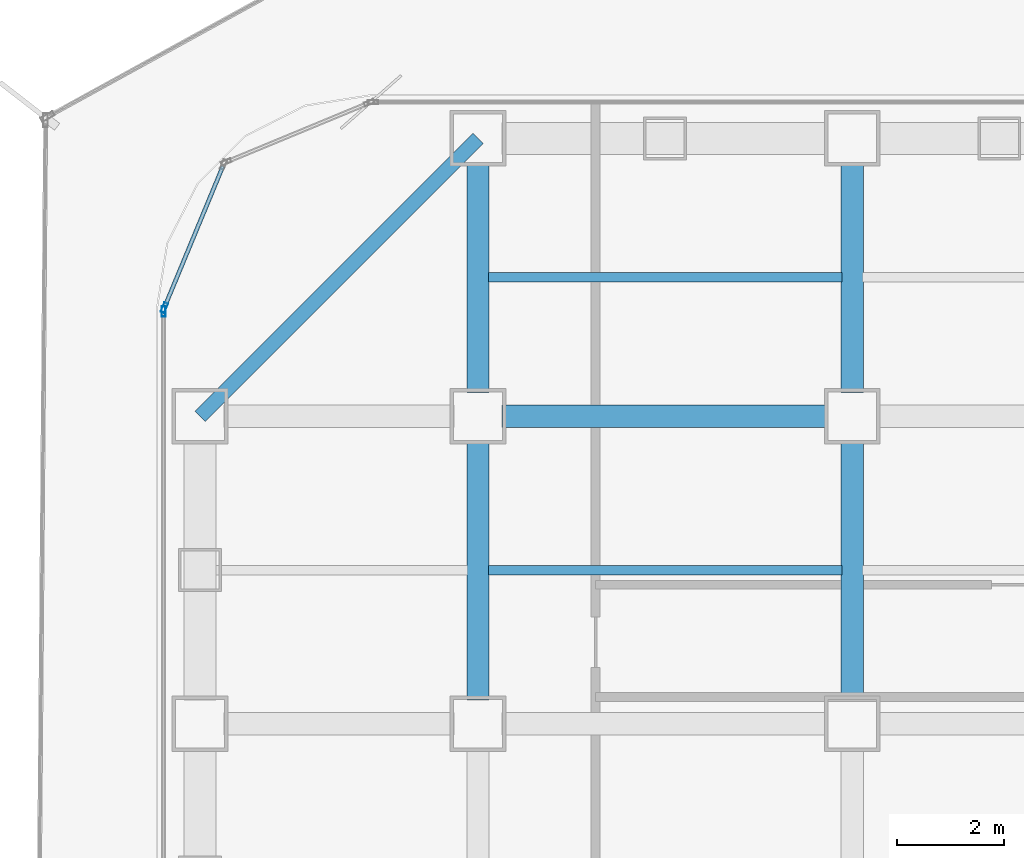
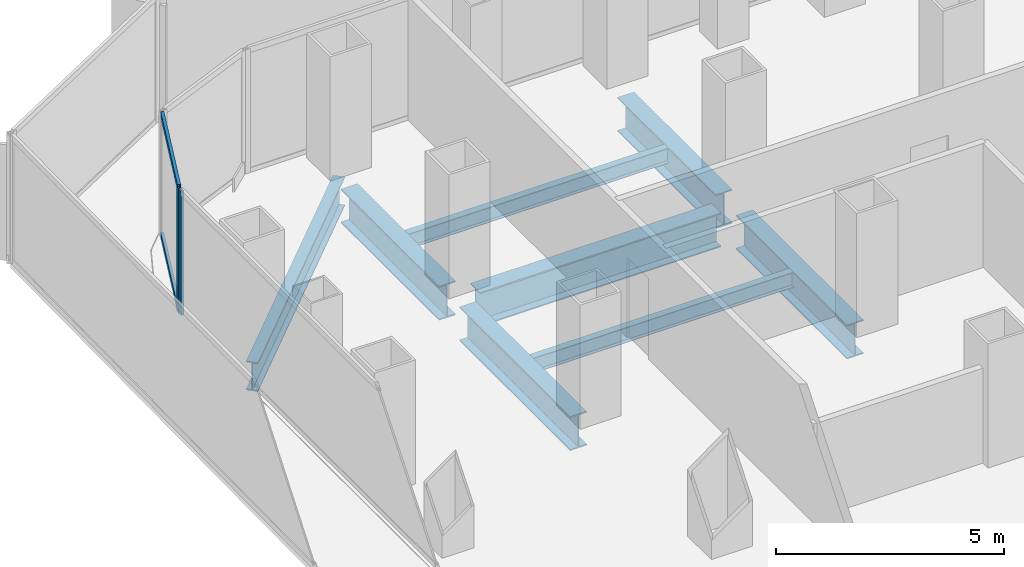
# One storey, part 12 of 27: 8 beams, 4 members, 2 elements without a shape of their own.
"""IFC4 building model written with IfcOpenShell, lengths in metres."""

from ifc_helpers import new_model, si_unit, direction, frame, origin, origin_2d, place, context, subcontext, project, spatial, hollow_rectangle, i_section, extrude, source, transform, mapped, material, layer, layer_set, material_profile, profile_set, type_object, element, aggregate, save


model = new_model("IFC4")

# Units and contexts
model_context = context("Model", 3, precision=1e-05, world=origin(), true_north=direction((0.0, 1.0)))
body_context = subcontext(model_context, "Body", "Model", "MODEL_VIEW")
ifc_project = project(units=[si_unit("LENGTHUNIT", "METRE"), si_unit("AREAUNIT", "SQUARE_METRE"), si_unit("VOLUMEUNIT", "CUBIC_METRE"), si_unit("PLANEANGLEUNIT", "RADIAN"), si_unit("MASSUNIT", "GRAM", prefix="KILO")], contexts=[model_context])

# Site, building, storey
site_placement = place(None, origin())
site = spatial("IfcSite", under=ifc_project, at=site_placement, CompositionType="ELEMENT")
building_placement = place(site_placement, origin())
building = spatial("IfcBuilding", under=site, at=building_placement, Name="Kolveth Station Tower", CompositionType="ELEMENT")
storey_placement = place(building_placement, frame((0.0, 0.0, 22.5)))
storey = spatial("IfcBuildingStorey", under=building, at=storey_placement, Name="L05", CompositionType="ELEMENT", Elevation=22.5)

# Beams
ifc_material_1 = material(Name="Steel S355", Category="steel")
ifc_material_profile_1 = material_profile(ifc_material_1, i_section(OverallWidth=0.26904296875, OverallDepth=0.77490234375, WebThickness=0.01708984375, FlangeThickness=0.0283203125, at=origin_2d()), Name="W760x220")
ifc_profile_set_1 = profile_set([ifc_material_profile_1], Name="Steel S355")
beam_type_1 = type_object("IfcBeamType", Name="Beam_SP1", PredefinedType="SPANDREL", material=ifc_profile_set_1)
shared_shape_1 = source(origin(), body_context, "Body", "SweptSolid", [
    extrude(i_section(OverallWidth=0.26904296875, OverallDepth=0.77490234375, WebThickness=0.01708984375, FlangeThickness=0.0283203125, at=origin_2d()), origin(), (0.0, 0.0, 1.0), 7.353759765625),
])
beam_1_placement = place(storey_placement, frame((6.0, 39.699951171875, -0.74755859375), z_axis=(-0.707106781187, -0.707106781187, 0.0), x_axis=(0.707106781187, -0.707106781187, 0.0)))
element("IfcBeam", 1, at=beam_1_placement, inside=storey, type_object=beam_type_1, Name="L05 Corner Edge Girder BM-L05-CNR-NW", PredefinedType="SPANDREL", context=body_context, shape_type="MappedRepresentation", body=[
    mapped(shared_shape_1, transform((0.0, 0.0, 0.0), x_axis=(1.0, 0.0, 0.0), y_axis=(0.0, 1.0, 0.0), z_axis=(0.0, 0.0, 1.0), scale=1.0)),
])
ifc_material_profile_2 = material_profile(ifc_material_1, i_section(OverallWidth=0.41796875, OverallDepth=0.912109375, WebThickness=0.019287109375, FlangeThickness=0.031982421875, at=origin_2d()), Name="W920x342")
ifc_profile_set_2 = profile_set([ifc_material_profile_2], Name="Steel S355")
beam_type_2 = type_object("IfcBeamType", Name="Beam_B1", PredefinedType="BEAM", material=ifc_profile_set_2)
shared_shape_2 = source(origin(), body_context, "Body", "SweptSolid", [
    extrude(i_section(OverallWidth=0.41796875, OverallDepth=0.912109375, WebThickness=0.019287109375, FlangeThickness=0.031982421875, at=origin_2d()), origin(), (0.0, 0.0, 1.0), 4.300048828125),
])
for number, where, z_axis, x_axis, name in (
    (2, (6.0, 34.949951171875, -0.81591796875), (0.0, 1.0, 0.0), (-1.0, 0.0, 0.0), "L05 Primary Girder BM-L05-GX60-7"),
    (3, (13.0, 34.949951171875, -0.81591796875), (0.0, 1.0, 0.0), (-1.0, 0.0, 0.0), "L05 Primary Girder BM-L05-GX130-7"),
):
    element("IfcBeam", number, at=place(storey_placement, frame(where, z_axis=z_axis, x_axis=x_axis)), inside=storey, type_object=beam_type_2, Name=name, PredefinedType="BEAM", context=body_context, shape_type="MappedRepresentation", body=[
        mapped(shared_shape_2, transform((0.0, 0.0, 0.0), x_axis=(1.0, 0.0, 0.0), y_axis=(0.0, 1.0, 0.0), z_axis=(0.0, 0.0, 1.0), scale=1.0)),
    ])
shared_shape_3 = source(origin(), body_context, "Body", "SweptSolid", [
    extrude(i_section(OverallWidth=0.41796875, OverallDepth=0.912109375, WebThickness=0.019287109375, FlangeThickness=0.031982421875, at=origin_2d()), origin(), (0.0, 0.0, 1.0), 6.10009765625),
])
beam_2_placement = place(storey_placement, frame((6.449951171875, 34.5, -0.81591796875), z_axis=(1.0, 0.0, 0.0), x_axis=(0.0, 1.0, 0.0)))
element("IfcBeam", 4, at=beam_2_placement, inside=storey, type_object=beam_type_2, Name="L05 Primary Girder BM-L05-GY345-2", PredefinedType="BEAM", context=body_context, shape_type="MappedRepresentation", body=[
    mapped(shared_shape_3, transform((0.0, 0.0, 0.0), x_axis=(1.0, 0.0, 0.0), y_axis=(0.0, 1.0, 0.0), z_axis=(0.0, 0.0, 1.0), scale=1.0)),
])
shared_shape_4 = source(origin(), body_context, "Body", "SweptSolid", [
    extrude(i_section(OverallWidth=0.41796875, OverallDepth=0.912109375, WebThickness=0.019287109375, FlangeThickness=0.031982421875, at=origin_2d()), origin(), (0.0, 0.0, 1.0), 4.85009765625),
])
for number, where, z_axis, x_axis, name in (
    (5, (6.0, 29.199951171875, -0.81591796875), (0.0, 1.0, 0.0), (-1.0, 0.0, 0.0), "L05 Primary Girder BM-L05-GX60-6"),
    (6, (13.0, 29.199951171875, -0.81591796875), (0.0, 1.0, 0.0), (-1.0, 0.0, 0.0), "L05 Primary Girder BM-L05-GX130-6"),
):
    element("IfcBeam", number, at=place(storey_placement, frame(where, z_axis=z_axis, x_axis=x_axis)), inside=storey, type_object=beam_type_2, Name=name, PredefinedType="BEAM", context=body_context, shape_type="MappedRepresentation", body=[
        mapped(shared_shape_4, transform((0.0, 0.0, 0.0), x_axis=(1.0, 0.0, 0.0), y_axis=(0.0, 1.0, 0.0), z_axis=(0.0, 0.0, 1.0), scale=1.0)),
    ])
ifc_material_profile_3 = material_profile(ifc_material_1, i_section(OverallWidth=0.177978515625, OverallDepth=0.406982421875, WebThickness=0.0078125, FlangeThickness=0.0126953125, at=origin_2d()), Name="W410x60")
ifc_profile_set_3 = profile_set([ifc_material_profile_3], Name="Steel S355")
beam_type_3 = type_object("IfcBeamType", Name="Beam_J1", PredefinedType="JOIST", material=ifc_profile_set_3)
shared_shape_5 = source(origin(), body_context, "Body", "SweptSolid", [
    extrude(i_section(OverallWidth=0.177978515625, OverallDepth=0.406982421875, WebThickness=0.0078125, FlangeThickness=0.0126953125, at=origin_2d()), origin(), (0.0, 0.0, 1.0), 6.60986328125),
])
for number, where, z_axis, x_axis, name in (
    (7, (6.195068359375, 31.625, -0.5634765625), (1.0, 0.0, 0.0), (0.0, 1.0, 0.0), "L05 Secondary Joist JST-L05-2-6"),
    (8, (6.195068359375, 37.10009765625, -0.5634765625), (1.0, 0.0, 0.0), (0.0, 1.0, 0.0), "L05 Secondary Joist JST-L05-2-7"),
):
    element("IfcBeam", number, at=place(storey_placement, frame(where, z_axis=z_axis, x_axis=x_axis)), inside=storey, type_object=beam_type_3, Name=name, PredefinedType="JOIST", context=body_context, shape_type="MappedRepresentation", body=[
        mapped(shared_shape_5, transform((0.0, 0.0, 0.0), x_axis=(1.0, 0.0, 0.0), y_axis=(0.0, 1.0, 0.0), z_axis=(0.0, 0.0, 1.0), scale=1.0)),
    ])

# Curtain wall, member
ifc_material_2 = material(Name="Aluminium 6063-T6 and low-E dark glass", Category="aluminium")
ifc_layer = layer(ifc_material_2, 0.179931640625)
ifc_layer_set = layer_set([ifc_layer], Name="Aluminium 6063-T6 and low-E dark glass")
curtain_wall_type = type_object("IfcCurtainWallType", Name="CurtainWall_CW-Z1", PredefinedType="NOTDEFINED", material=ifc_layer_set)
curtain_wall_1_placement = place(storey_placement, origin())
curtain_wall_1 = element("IfcCurtainWall", 9, at=curtain_wall_1_placement, inside=storey, type_object=curtain_wall_type, Name="L05 Inner Thermal Curtain Wall 8", PredefinedType="NOTDEFINED")
ifc_material_3 = material(Name="Black anodized aluminium 6063-T6", Category="aluminium")
ifc_material_profile_4 = material_profile(ifc_material_3, hollow_rectangle(XDim=0.074951171875, YDim=0.18994140625, WallThickness=0.0048828125, at=origin_2d()), Name="ALU-75x190x5")
ifc_profile_set_4 = profile_set([ifc_material_profile_4], Name="Black anodized aluminium 6063-T6")
member_type_1 = type_object("IfcMemberType", Name="Mullion_ML1", PredefinedType="MULLION", material=ifc_profile_set_4)
shared_shape_6 = source(origin(), body_context, "Body", "SweptSolid", [
    extrude(hollow_rectangle(XDim=0.074951171875, YDim=0.18994140625, WallThickness=0.0048828125, at=origin_2d()), origin(), (0.0, 0.0, 1.0), 3.320068359375),
])
member_1_placement = place(storey_placement, frame((0.13427734375, 36.53466796875, 0.0), z_axis=(0.0, 0.0, 1.0), x_axis=(0.923883857728, -0.382672990201, 0.0)))
member_1 = element("IfcMember", 10, at=member_1_placement, type_object=member_type_1, Name="CW-Z1 mullion 2", PredefinedType="MULLION", context=body_context, shape_type="MappedRepresentation", body=[
    mapped(shared_shape_6, transform((0.0, 0.0, 0.0), x_axis=(1.0, 0.0, 0.0), y_axis=(0.0, 1.0, 0.0), z_axis=(0.0, 0.0, 1.0), scale=1.0)),
])

curtain_wall_2_placement = place(storey_placement, origin())
curtain_wall_2 = element("IfcCurtainWall", 11, at=curtain_wall_2_placement, inside=storey, type_object=curtain_wall_type, Name="L05 Inner Thermal Curtain Wall 9", PredefinedType="NOTDEFINED")
member_2_placement = place(storey_placement, frame((0.1201171875, 36.46240234375, 0.0), z_axis=(0.0, 0.0, 1.0), x_axis=(1.0, 0.0, 0.0)))
member_2 = element("IfcMember", 12, at=member_2_placement, type_object=member_type_1, Name="CW-Z1 mullion 1", PredefinedType="MULLION", context=body_context, shape_type="MappedRepresentation", body=[
    mapped(shared_shape_6, transform((0.0, 0.0, 0.0), x_axis=(1.0, 0.0, 0.0), y_axis=(0.0, 1.0, 0.0), z_axis=(0.0, 0.0, 1.0), scale=1.0)),
])
aggregate(curtain_wall_2, [member_2])

# Member
ifc_material_profile_5 = material_profile(ifc_material_3, hollow_rectangle(XDim=0.074951171875, YDim=0.159912109375, WallThickness=0.0048828125, at=origin_2d()), Name="ALU-75x160x5")
ifc_profile_set_5 = profile_set([ifc_material_profile_5], Name="Black anodized aluminium 6063-T6")
member_type_2 = type_object("IfcMemberType", Name="Transom_TR1", PredefinedType="USERDEFINED", material=ifc_profile_set_5)
shared_shape_7 = source(origin(), body_context, "Body", "SweptSolid", [
    extrude(hollow_rectangle(XDim=0.074951171875, YDim=0.159912109375, WallThickness=0.0048828125, at=origin_2d()), origin(), (0.0, 0.0, 1.0), 2.819580078125),
])
member_3_placement = place(storey_placement, frame((1.227783203125, 39.17431640625, 0.03759765625), z_axis=(-0.382708655389, -0.923869084389, 0.0), x_axis=(0.923869084389, -0.382708655389, 0.0)))
member_3 = element("IfcMember", 13, at=member_3_placement, type_object=member_type_2, Name="CW-Z1 transom 1.1", ObjectType="TRANSOM", PredefinedType="USERDEFINED", context=body_context, shape_type="MappedRepresentation", body=[
    mapped(shared_shape_7, transform((0.0, 0.0, 0.0), x_axis=(1.0, 0.0, 0.0), y_axis=(0.0, 1.0, 0.0), z_axis=(0.0, 0.0, 1.0), scale=1.0)),
])

member_4_placement = place(storey_placement, frame((1.227783203125, 39.17431640625, 3.282470703125), z_axis=(-0.382708655389, -0.923869084389, 0.0), x_axis=(0.923869084389, -0.382708655389, 0.0)))
member_4 = element("IfcMember", 14, at=member_4_placement, type_object=member_type_2, Name="CW-Z1 transom 1.2", ObjectType="TRANSOM", PredefinedType="USERDEFINED", context=body_context, shape_type="MappedRepresentation", body=[
    mapped(shared_shape_7, transform((0.0, 0.0, 0.0), x_axis=(1.0, 0.0, 0.0), y_axis=(0.0, 1.0, 0.0), z_axis=(0.0, 0.0, 1.0), scale=1.0)),
])

aggregate(curtain_wall_1, [member_1, member_3, member_4])

save(model, "model.ifc")
